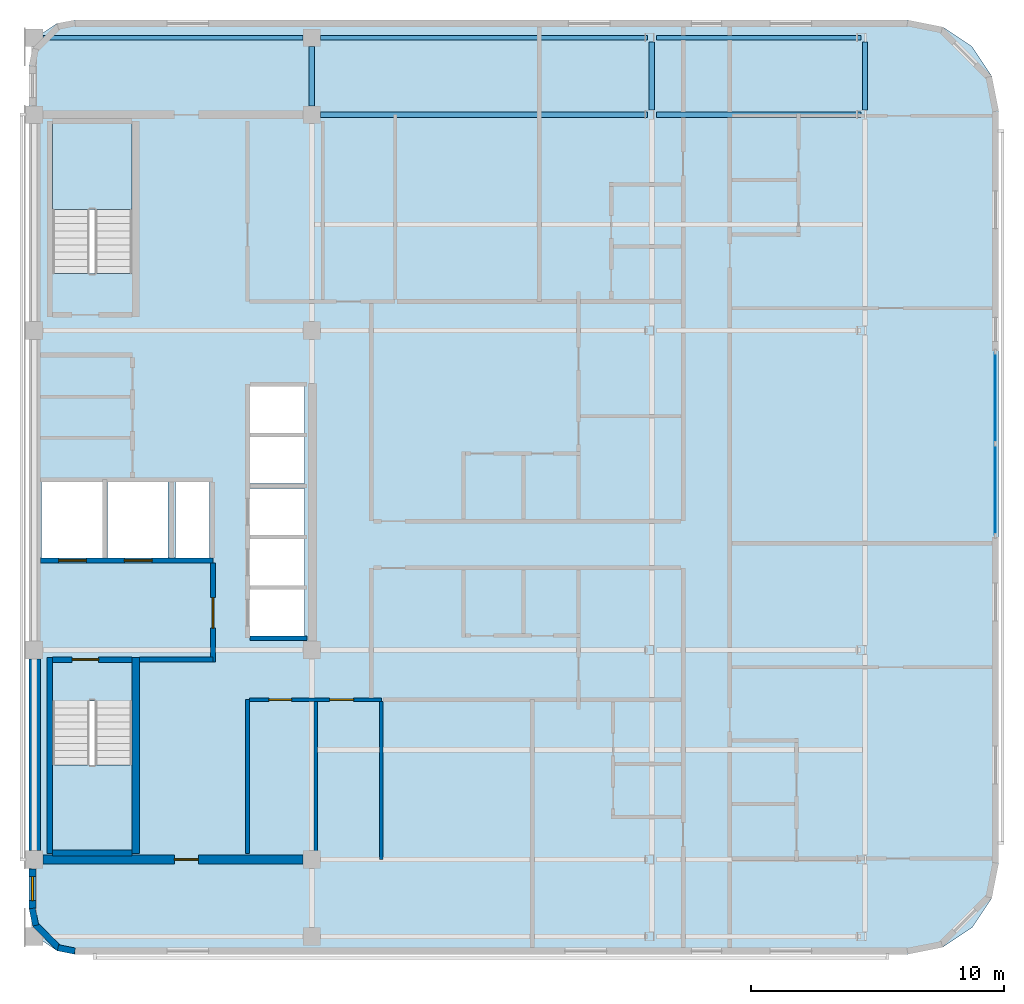
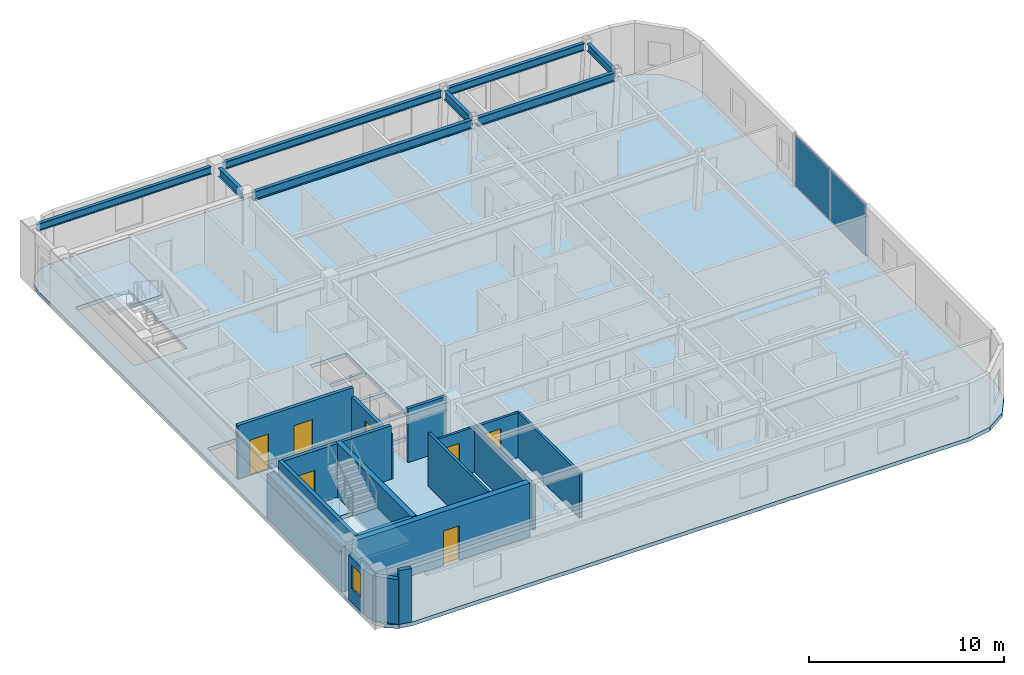
# One storey, part 3 of 10: 18 walls, 8 beams, 7 doors, 3 slabs, 2 plates, 1 window, 8 openings, 3 elements without a shape of their own.
"""IFC4 building model written with IfcOpenShell, lengths in metres."""

from ifc_helpers import new_model, si_unit, direction, frame, frame_2d, origin, origin_2d, place, context, subcontext, project, spatial, polyline, rectangle, i_section, outline, extrude, material, layer, layer_set, material_profile, profile_set, type_object, element, fill, aggregate, save


model = new_model("IFC4")

# Units and contexts
model_context = context("Model", 3, precision=1e-05, world=origin(), true_north=direction((0.0, 1.0)))
body_context = subcontext(model_context, "Body", "Model", "MODEL_VIEW")
ifc_project = project(units=[si_unit("LENGTHUNIT", "METRE"), si_unit("AREAUNIT", "SQUARE_METRE"), si_unit("VOLUMEUNIT", "CUBIC_METRE"), si_unit("PLANEANGLEUNIT", "RADIAN"), si_unit("MASSUNIT", "GRAM", prefix="KILO")], contexts=[model_context])

# Site, building, storey
site_placement = place(None, origin())
site = spatial("IfcSite", under=ifc_project, at=site_placement, CompositionType="ELEMENT")
building_placement = place(site_placement, origin())
building = spatial("IfcBuilding", under=site, at=building_placement, Name="Ochreholt Gables", CompositionType="ELEMENT")
storey_placement = place(building_placement, frame((0.0, 0.0, 246.0)))
storey = spatial("IfcBuildingStorey", under=building, at=storey_placement, Name="L64", CompositionType="ELEMENT", Elevation=246.0)

# Beams
ifc_material_1 = material(Name="Steel CSA G40.21 350W", Category="steel")
ifc_material_profile_1 = material_profile(ifc_material_1, i_section(OverallWidth=0.2109375, OverallDepth=0.5390625, WebThickness=0.01171875, FlangeThickness=0.018798828125, at=origin_2d()), Name="W530X109")
ifc_profile_set_1 = profile_set([ifc_material_profile_1], Name="Steel CSA G40.21 350W")
beam_type_1 = type_object("IfcBeamType", Name="BM-G-W530A", PredefinedType="BEAM", material=ifc_profile_set_1)
beam_1_placement = place(storey_placement, frame((35.549560546875, 38.75, 3.090576171875), z_axis=(1.0, 0.0, 0.0), x_axis=(0.0, 1.0, 0.0)))
element("IfcBeam", 1, at=beam_1_placement, inside=storey, type_object=beam_type_1, Name="L64 Beam TBG-L64-C2EM-Y5", PredefinedType="BEAM", context=body_context, shape_type="SweptSolid", body=[
    extrude(i_section(OverallWidth=0.2109375, OverallDepth=0.5390625, WebThickness=0.01171875, FlangeThickness=0.018798828125, at=origin_2d()), origin(), (0.0, 0.0, 1.0), 12.94482421875),
])
beam_2_placement = place(storey_placement, frame((48.849609375, 38.75, 3.090576171875), z_axis=(1.0, 0.0, 0.0), x_axis=(0.0, 1.0, 0.0)))
element("IfcBeam", 2, at=beam_2_placement, inside=storey, type_object=beam_type_1, Name="L64 Beam TBG-L64-EMEE-Y5", PredefinedType="BEAM", context=body_context, shape_type="SweptSolid", body=[
    extrude(i_section(OverallWidth=0.2109375, OverallDepth=0.5390625, WebThickness=0.01171875, FlangeThickness=0.018798828125, at=origin_2d()), origin(), (0.0, 0.0, 1.0), 8.1064453125),
])
beam_3_placement = place(storey_placement, frame((35.199951171875, 39.099609375, 3.090576171875), z_axis=(0.0, 1.0, 0.0), x_axis=(-1.0, 0.0, 0.0)))
element("IfcBeam", 3, at=beam_3_placement, inside=storey, type_object=beam_type_1, Name="L64 Beam TBN-L64-C2-Y5Y6", PredefinedType="BEAM", context=body_context, shape_type="SweptSolid", body=[
    extrude(i_section(OverallWidth=0.2109375, OverallDepth=0.5390625, WebThickness=0.01171875, FlangeThickness=0.018798828125, at=origin_2d()), origin(), (0.0, 0.0, 1.0), 2.350830078125),
])
beam_4_placement = place(storey_placement, frame((48.65478515625, 38.927490234375, 3.090576171875), z_axis=(0.0, 1.0, 0.0), x_axis=(-1.0, 0.0, 0.0)))
element("IfcBeam", 4, at=beam_4_placement, inside=storey, type_object=beam_type_1, Name="L64 Beam TBN-L64-EM-Y5Y6", PredefinedType="BEAM", context=body_context, shape_type="SweptSolid", body=[
    extrude(i_section(OverallWidth=0.2109375, OverallDepth=0.5390625, WebThickness=0.01171875, FlangeThickness=0.018798828125, at=origin_2d()), origin(), (0.0, 0.0, 1.0), 2.69482421875),
])
ifc_material_profile_2 = material_profile(ifc_material_1, i_section(OverallWidth=0.19189453125, OverallDepth=0.462890625, WebThickness=0.010498046875, FlangeThickness=0.017578125, at=origin_2d()), Name="W460X89")
ifc_profile_set_2 = profile_set([ifc_material_profile_2], Name="Steel CSA G40.21 350W")
beam_type_2 = type_object("IfcBeamType", Name="BM-SP-W460A", PredefinedType="SPANDREL", material=ifc_profile_set_2)
beam_5_placement = place(storey_placement, frame((24.549560546875, 41.800048828125, 3.12841796875), z_axis=(1.0, 0.0, 0.0), x_axis=(0.0, 1.0, 0.0)))
element("IfcBeam", 5, at=beam_5_placement, inside=storey, type_object=beam_type_2, Name="L64 Beam TBG-L64-C1C2-Y6", PredefinedType="SPANDREL", context=body_context, shape_type="SweptSolid", body=[
    extrude(i_section(OverallWidth=0.19189453125, OverallDepth=0.462890625, WebThickness=0.010498046875, FlangeThickness=0.017578125, at=origin_2d()), origin(), (0.0, 0.0, 1.0), 10.30078125),
])
beam_6_placement = place(storey_placement, frame((35.549560546875, 41.800048828125, 3.12841796875), z_axis=(1.0, 0.0, 0.0), x_axis=(0.0, 1.0, 0.0)))
element("IfcBeam", 6, at=beam_6_placement, inside=storey, type_object=beam_type_2, Name="L64 Beam TBG-L64-C2EM-Y6", PredefinedType="SPANDREL", context=body_context, shape_type="SweptSolid", body=[
    extrude(i_section(OverallWidth=0.19189453125, OverallDepth=0.462890625, WebThickness=0.010498046875, FlangeThickness=0.017578125, at=origin_2d()), origin(), (0.0, 0.0, 1.0), 12.94482421875),
])
beam_7_placement = place(storey_placement, frame((48.849609375, 41.800048828125, 3.12841796875), z_axis=(1.0, 0.0, 0.0), x_axis=(0.0, 1.0, 0.0)))
element("IfcBeam", 7, at=beam_7_placement, inside=storey, type_object=beam_type_2, Name="L64 Beam TBG-L64-EMEE-Y6", PredefinedType="SPANDREL", context=body_context, shape_type="SweptSolid", body=[
    extrude(i_section(OverallWidth=0.19189453125, OverallDepth=0.462890625, WebThickness=0.010498046875, FlangeThickness=0.017578125, at=origin_2d()), origin(), (0.0, 0.0, 1.0), 8.1064453125),
])
beam_8_placement = place(storey_placement, frame((57.105224609375, 38.927490234375, 3.12841796875), z_axis=(0.0, 1.0, 0.0), x_axis=(-1.0, 0.0, 0.0)))
element("IfcBeam", 8, at=beam_8_placement, inside=storey, type_object=beam_type_2, Name="L64 Beam TBN-L64-EE-Y5Y6", PredefinedType="SPANDREL", context=body_context, shape_type="SweptSolid", body=[
    extrude(i_section(OverallWidth=0.19189453125, OverallDepth=0.462890625, WebThickness=0.010498046875, FlangeThickness=0.017578125, at=origin_2d()), origin(), (0.0, 0.0, 1.0), 2.69482421875),
])

# Curtain wall, plates
ifc_material_2 = material(Name="Unitised Aluminium and Triple Glazing", Category="aluminium")
ifc_layer_1 = layer(ifc_material_2, 0.2099609375, Name="Unitised Aluminium and Triple Glazing")
ifc_layer_set_1 = layer_set([ifc_layer_1], Name="Unitised Aluminium and Triple Glazing")
curtain_wall_type = type_object("IfcCurtainWallType", Name="CW-SYS5", PredefinedType="NOTDEFINED", material=ifc_layer_set_1)
curtain_wall_placement = place(storey_placement, origin())
curtain_wall = element("IfcCurtainWall", 9, at=curtain_wall_placement, inside=storey, type_object=curtain_wall_type, Name="L64 East Unitised Curtain Wall", PredefinedType="NOTDEFINED")
ifc_material_3 = material(Name="Triple Low-E Insulating Glass", Category="glass")
ifc_layer_2 = layer(ifc_material_3, 0.0380859375, Name="Triple Low-E Insulating Glass")
ifc_layer_set_2 = layer_set([ifc_layer_2], Name="Triple Low-E Insulating Glass")
plate_type = type_object("IfcPlateType", Name="CW-PNL-38", PredefinedType="CURTAIN_PANEL", material=ifc_layer_set_2)
plate_1_placement = place(storey_placement, frame((62.264892578125, 23.891357421875, 0.074951171875), z_axis=(0.0, 0.0, 1.0), x_axis=(0.0, 1.0, 0.0)))
plate_1 = element("IfcPlate", 10, at=plate_1_placement, type_object=plate_type, Name="CW-5 panel 1.1", PredefinedType="CURTAIN_PANEL", context=body_context, shape_type="SweptSolid", body=[
    extrude(rectangle(XDim=3.572509765625, YDim=0.0380859375, at=origin_2d()), origin(), (0.0, 0.0, 1.0), 3.2099609375),
])
plate_2_placement = place(storey_placement, frame((62.264892578125, 27.538818359375, 0.074951171875), z_axis=(0.0, 0.0, 1.0), x_axis=(0.0, 1.0, 0.0)))
plate_2 = element("IfcPlate", 11, at=plate_2_placement, type_object=plate_type, Name="CW-5 panel 2.1", PredefinedType="CURTAIN_PANEL", context=body_context, shape_type="SweptSolid", body=[
    extrude(rectangle(XDim=3.572509765625, YDim=0.0380859375, at=origin_2d()), origin(), (0.0, 0.0, 1.0), 3.2099609375),
])
aggregate(curtain_wall, [plate_1, plate_2])

# Stair, slab
ifc_material_4 = material(Name="Concrete 40 MPa", Category="concrete")
stair_type_1 = type_object("IfcStairType", Name="STAIR-CORE-ST-1", PredefinedType="HALF_TURN_STAIR", material=ifc_material_4)
stair_1_placement = place(storey_placement, origin())
stair_1 = element("IfcStair", 12, at=stair_1_placement, inside=storey, type_object=stair_type_1, Name="L64 Core Exit Stair 1", PredefinedType="HALF_TURN_STAIR")
ifc_layer_3 = layer(ifc_material_4, 0.199951171875, Name="Concrete 40 MPa")
ifc_layer_set_3 = layer_set([ifc_layer_3], Name="Concrete 40 MPa")
slab_type_1 = type_object("IfcSlabType", Name="LANDING-RC200", PredefinedType="LANDING", material=ifc_layer_set_3)
slab_1_placement = place(storey_placement, frame((0.0, 0.0, 1.60009765625)))
slab_1 = element("IfcSlab", 13, at=slab_1_placement, type_object=slab_type_1, Name="ST-1 landing 1", PredefinedType="LANDING", context=body_context, shape_type="SweptSolid", body=[
    extrude(outline(polyline([(24.919921875, 13.001953125), (24.919921875, 9.52001953125), (28.080078125, 9.52001953125), (28.080078125, 13.001953125), (24.919921875, 13.001953125)])), origin(), (0.0, 0.0, 1.0), 0.199951171875),
])
aggregate(stair_1, [slab_1])

stair_type_2 = type_object("IfcStairType", Name="STAIR-CORE-ST-2", PredefinedType="HALF_TURN_STAIR", material=ifc_material_4)
stair_2_placement = place(storey_placement, origin())
stair_2 = element("IfcStair", 14, at=stair_2_placement, inside=storey, type_object=stair_type_2, Name="L64 Core Exit Stair 2", PredefinedType="HALF_TURN_STAIR")
slab_2_placement = place(storey_placement, frame((0.0, 0.0, 1.60009765625)))
slab_2 = element("IfcSlab", 15, at=slab_2_placement, type_object=slab_type_1, Name="ST-2 landing 1", PredefinedType="LANDING", context=body_context, shape_type="SweptSolid", body=[
    extrude(outline(polyline([(28.080078125, 34.998046875), (28.080078125, 38.47998046875), (24.919921875, 38.47998046875), (24.919921875, 34.998046875), (28.080078125, 34.998046875)])), origin(), (0.0, 0.0, 1.0), 0.199951171875),
])
aggregate(stair_2, [slab_2])

# Slab
ifc_layer_4 = layer(ifc_material_4, 0.239990234375, Name="Concrete 40 MPa")
ifc_layer_set_4 = layer_set([ifc_layer_4], Name="Concrete 40 MPa")
slab_type_2 = type_object("IfcSlabType", Name="SLAB-TWR-240", PredefinedType="FLOOR", material=ifc_layer_set_4)
slab_3_placement = place(storey_placement, frame((0.0, 0.0, -0.239990234375)))
element("IfcSlab", 16, at=slab_3_placement, inside=storey, type_object=slab_type_2, Name="L64 Structural Floor Slab", PredefinedType="FLOOR", context=body_context, shape_type="SweptSolid", body=[
    extrude(outline(polyline([(24.0, 7.300048828125), (24.136962890625, 6.611083984375), (24.527099609375, 6.027099609375), (25.111083984375, 5.636962890625), (25.800048828125, 5.5), (58.800048828125, 5.5), (60.177734375, 5.77392578125), (61.345703125, 6.554443359375), (62.1259765625, 7.722412109375), (62.39990234375, 9.10009765625), (62.39990234375, 38.89990234375), (62.1259765625, 40.277587890625), (61.345703125, 41.445556640625), (60.177734375, 42.22607421875), (58.800048828125, 42.5), (25.800048828125, 42.5), (25.111083984375, 42.363037109375), (24.527099609375, 41.972900390625), (24.136962890625, 41.388916015625), (24.0, 40.699951171875), (24.0, 7.300048828125)]), holes=[polyline([(24.919921875, 15.539306640625), (24.919921875, 9.52001953125), (28.080078125, 9.52001953125), (28.080078125, 15.539306640625), (24.919921875, 15.539306640625)]), polyline([(28.080078125, 32.460693359375), (28.080078125, 38.47998046875), (24.919921875, 38.47998046875), (24.919921875, 32.460693359375), (28.080078125, 32.460693359375)]), polyline([(24.5, 21.199951171875), (26.89990234375, 21.199951171875), (26.89990234375, 24.199951171875), (24.5, 24.199951171875), (24.5, 21.199951171875)]), polyline([(27.10009765625, 21.199951171875), (29.5, 21.199951171875), (29.5, 24.199951171875), (27.10009765625, 24.199951171875), (27.10009765625, 21.199951171875)]), polyline([(32.75, 18.10009765625), (34.89990234375, 18.10009765625), (34.89990234375, 19.949951171875), (32.75, 19.949951171875), (32.75, 18.10009765625)]), polyline([(32.75, 20.10009765625), (34.89990234375, 20.10009765625), (34.89990234375, 21.949951171875), (32.75, 21.949951171875), (32.75, 20.10009765625)]), polyline([(32.75, 22.10009765625), (34.89990234375, 22.10009765625), (34.89990234375, 23.949951171875), (32.75, 23.949951171875), (32.75, 22.10009765625)]), polyline([(32.75, 24.14990234375), (34.89990234375, 24.14990234375), (34.89990234375, 26.0), (32.75, 26.0), (32.75, 24.14990234375)]), polyline([(32.75, 26.14990234375), (34.89990234375, 26.14990234375), (34.89990234375, 28.0), (32.75, 28.0), (32.75, 26.14990234375)]), polyline([(29.800048828125, 21.199951171875), (31.14990234375, 21.199951171875), (31.14990234375, 24.199951171875), (29.800048828125, 24.199951171875), (29.800048828125, 21.199951171875)])]), origin(), (0.0, 0.0, 1.0), 0.239990234375),
])

# Wall, opening, door
ifc_material_5 = material(Name="Concrete 50 MPa", Category="concrete")
ifc_layer_5 = layer(ifc_material_5, 0.35009765625, Name="Concrete 50 MPa")
ifc_layer_set_5 = layer_set([ifc_layer_5], Name="Concrete 50 MPa")
wall_type_1 = type_object("IfcWallType", Name="WALL-CSW-350", PredefinedType="SHEAR", material=ifc_layer_set_5)
wall_1_placement = place(storey_placement, frame((24.550048828125, 9.25, 0.0), z_axis=(0.0, 0.0, 1.0), x_axis=(1.0, 0.0, 0.0)))
wall_1 = element("IfcWall", 17, at=wall_1_placement, inside=storey, type_object=wall_type_1, Name="L64 Core South Shear Wall", PredefinedType="SHEAR", context=body_context, shape_type="SweptSolid", body=[
    extrude(rectangle(XDim=10.300048828125, YDim=0.35009765625, at=frame_2d((5.14990234375, 0.0))), origin(), (0.0, 0.0, 1.0), 3.360107421875),
])
opening_1_placement = place(wall_1_placement, frame((5.199951171875, 0.0, 0.0)))
opening_1 = element("IfcOpeningElement", 18, at=opening_1_placement, cuts=wall_1, Name="Opening D-FL2", PredefinedType="OPENING", context=body_context, shape_type="SweptSolid", body=[
    extrude(rectangle(XDim=0.949951171875, YDim=2.14990234375, at=frame_2d((0.47509765625, 1.074951171875))), frame((0.0, 0.18505859375, 0.0), z_axis=(0.0, -1.0, 0.0), x_axis=(1.0, 0.0, 0.0)), (0.0, 0.0, 1.0), 0.3701171875),
])
ifc_material_6 = material(Name="Hollow Metal Steel", Category="steel")
door_type_1 = type_object("IfcDoorType", Name="DR-INT-FLB950", OperationType="NOTDEFINED", PredefinedType="DOOR", material=ifc_material_6)
door_1_placement = place(opening_1_placement, frame((0.949951171875, 0.0, 0.0), z_axis=(0.0, 0.0, 1.0), x_axis=(-1.0, 0.0, 0.0)))
door_1 = element("IfcDoor", 19, at=door_1_placement, inside=storey, type_object=door_type_1, Name="L64 Door D-C3SSL-L64", OperationType="SINGLE_SWING_LEFT", OverallHeight=2.14990234375, OverallWidth=0.949951171875, PredefinedType="DOOR", context=body_context, shape_type="SweptSolid", body=[
    extrude(rectangle(XDim=0.949951171875, YDim=2.14990234375, at=frame_2d((0.47509765625, 1.074951171875))), frame((0.0, 0.02490234375, 0.0), z_axis=(0.0, -1.0, 0.0), x_axis=(1.0, 0.0, 0.0)), (0.0, 0.0, 1.0), 0.050048828125),
])
fill(opening_1, door_1)

# Wall
ifc_layer_6 = layer(ifc_material_5, 0.449951171875, Name="Concrete 50 MPa")
ifc_layer_set_6 = layer_set([ifc_layer_6], Name="Concrete 50 MPa")
wall_type_2 = type_object("IfcWallType", Name="WALL-CSW-EXT", PredefinedType="SHEAR", material=ifc_layer_set_6)
wall_2_placement = place(storey_placement, frame((24.22509765625, 9.60009765625, 0.0), z_axis=(0.0, 0.0, 1.0), x_axis=(0.0, 1.0, 0.0)))
element("IfcWall", 20, at=wall_2_placement, inside=storey, type_object=wall_type_2, Name="L64 Core West Shear Wall WS", PredefinedType="SHEAR", context=body_context, shape_type="SweptSolid", body=[
    extrude(rectangle(XDim=7.599853515625, YDim=0.449951171875, at=frame_2d((3.7998046875, 0.0))), origin(), (0.0, 0.0, 1.0), 2.821044921875),
])

# Wall, opening, window
ifc_material_7 = material(Name="Precast concrete 40 MPa", Category="concrete")
ifc_layer_7 = layer(ifc_material_7, 0.27001953125, Name="Precast concrete 40 MPa")
ifc_layer_set_7 = layer_set([ifc_layer_7], Name="Precast concrete 40 MPa")
wall_type_3 = type_object("IfcWallType", Name="WALL-EXT-270", PredefinedType="SOLIDWALL", material=ifc_layer_set_7)
wall_3_placement = place(storey_placement, frame((24.135009765625, 7.320068359375, 0.0), z_axis=(0.0, 0.0, 1.0), x_axis=(0.0, 1.0, 0.0)))
wall_3 = element("IfcWall", 21, at=wall_3_placement, inside=storey, type_object=wall_type_3, Name="L64 West Facade South Bay Wall", PredefinedType="SOLIDWALL", context=body_context, shape_type="SweptSolid", body=[
    extrude(rectangle(XDim=1.559814453125, YDim=0.27001953125, at=frame_2d((0.77978515625, 0.0))), origin(), (0.0, 0.0, 1.0), 2.802978515625),
])
opening_2_placement = place(wall_3_placement, frame((0.304931640625, 0.0, 0.85009765625)))
opening_2 = element("IfcOpeningElement", 22, at=opening_2_placement, cuts=wall_3, Name="Opening WN-10", PredefinedType="OPENING", context=body_context, shape_type="SweptSolid", body=[
    extrude(rectangle(XDim=0.949951171875, YDim=1.5, at=frame_2d((0.47509765625, 0.75))), frame((0.0, 0.14501953125, 0.0), z_axis=(0.0, -1.0, 0.0), x_axis=(1.0, 0.0, 0.0)), (0.0, 0.0, 1.0), 0.2900390625),
])
ifc_material_8 = material(Name="Triple-Glazed Thermally Broken Aluminium Window", Category="aluminium")
window_type = type_object("IfcWindowType", Name="WIN-RES-950", PartitioningType="SINGLE_PANEL", PredefinedType="WINDOW", material=ifc_material_8)
window_placement = place(opening_2_placement, origin())
window = element("IfcWindow", 23, at=window_placement, inside=storey, type_object=window_type, Name="L64 South Sky Lounge West Window", OverallHeight=1.5, OverallWidth=0.949951171875, PartitioningType="SINGLE_PANEL", PredefinedType="WINDOW", context=body_context, shape_type="SweptSolid", body=[
    extrude(rectangle(XDim=0.949951171875, YDim=1.5, at=frame_2d((0.47509765625, 0.75))), frame((0.0, 0.030029296875, 0.0), z_axis=(0.0, -1.0, 0.0), x_axis=(1.0, 0.0, 0.0)), (0.0, 0.0, 1.0), 0.06005859375),
])
fill(opening_2, window)

# Walls
ifc_layer_8 = layer(ifc_material_7, 0.25, Name="Precast concrete 40 MPa")
ifc_layer_set_8 = layer_set([ifc_layer_8], Name="Precast concrete 40 MPa")
wall_type_4 = type_object("IfcWallType", Name="WALL-EXT-CNR", PredefinedType="SOLIDWALL", material=ifc_layer_set_8)
wall_4_placement = place(storey_placement, frame((24.124267578125, 7.31640625, 0.0), z_axis=(0.0, 0.0, 1.0), x_axis=(0.194952956674, -0.980812594069, 0.0)))
element("IfcWall", 24, at=wall_4_placement, inside=storey, type_object=wall_type_4, Name="L64 Rounded Corner Wall SW-1", PredefinedType="SOLIDWALL", context=body_context, shape_type="SweptSolid", body=[
    extrude(rectangle(XDim=0.686279296875, YDim=0.25, at=frame_2d((0.34326171875, 0.0))), origin(), (0.0, 0.0, 1.0), 2.802978515625),
])
wall_5_placement = place(storey_placement, frame((24.23095703125, 6.69384765625, 0.0), z_axis=(0.0, 0.0, 1.0), x_axis=(0.707106781187, -0.707106781187, 0.0)))
element("IfcWall", 25, at=wall_5_placement, inside=storey, type_object=wall_type_4, Name="L64 Rounded Corner Wall SW-2", PredefinedType="SOLIDWALL", context=body_context, shape_type="SweptSolid", body=[
    extrude(rectangle(XDim=1.36181640625, YDim=0.25, at=frame_2d((0.680908203125, 0.0))), origin(), (0.0, 0.0, 1.0), 2.802978515625),
])
wall_6_placement = place(storey_placement, frame((25.143310546875, 5.758056640625, 0.0), z_axis=(0.0, 0.0, 1.0), x_axis=(0.980812594069, -0.194952956674, 0.0)))
element("IfcWall", 26, at=wall_6_placement, inside=storey, type_object=wall_type_4, Name="L64 Rounded Corner Wall SW-3", PredefinedType="SOLIDWALL", context=body_context, shape_type="SweptSolid", body=[
    extrude(rectangle(XDim=0.686279296875, YDim=0.25, at=frame_2d((0.34326171875, 0.0))), origin(), (0.0, 0.0, 1.0), 3.360107421875),
])

# Wall, openings, doors
ifc_layer_9 = layer(ifc_material_4, 0.199951171875, Name="Concrete 40 MPa")
ifc_layer_set_9 = layer_set([ifc_layer_9], Name="Concrete 40 MPa")
wall_type_5 = type_object("IfcWallType", Name="WALL-INT-CF200", PredefinedType="STANDARD", material=ifc_layer_set_9)
wall_7_placement = place(storey_placement, frame((24.449951171875, 21.090087890625, 0.0), z_axis=(0.0, 0.0, 1.0), x_axis=(1.0, 0.0, 0.0)))
wall_7 = element("IfcWall", 27, at=wall_7_placement, inside=storey, type_object=wall_type_5, Name="L64 Interior Wall WI-FFN-L64", PredefinedType="STANDARD", context=body_context, shape_type="SweptSolid", body=[
    extrude(rectangle(XDim=6.830078125, YDim=0.199951171875, at=frame_2d((3.4150390625, 0.0))), origin(), (0.0, 0.0, 1.0), 3.360107421875),
])
opening_3_placement = place(wall_7_placement, frame((0.719970703125, 0.0, 0.0)))
opening_3 = element("IfcOpeningElement", 28, at=opening_3_placement, cuts=wall_7, Name="Opening LD-FF", PredefinedType="OPENING", context=body_context, shape_type="SweptSolid", body=[
    extrude(rectangle(XDim=1.10009765625, YDim=2.199951171875, at=frame_2d((0.550048828125, 1.10009765625))), frame((0.0, 0.10986328125, 0.0), z_axis=(0.0, -1.0, 0.0), x_axis=(1.0, 0.0, 0.0)), (0.0, 0.0, 1.0), 0.219970703125),
])
opening_4_placement = place(wall_7_placement, frame((3.320068359375, 0.0, 0.0)))
opening_4 = element("IfcOpeningElement", 29, at=opening_4_placement, cuts=wall_7, Name="Opening LD-FF", PredefinedType="OPENING", context=body_context, shape_type="SweptSolid", body=[
    extrude(rectangle(XDim=1.10009765625, YDim=2.199951171875, at=frame_2d((0.550048828125, 1.10009765625))), frame((0.0, 0.10986328125, 0.0), z_axis=(0.0, -1.0, 0.0), x_axis=(1.0, 0.0, 0.0)), (0.0, 0.0, 1.0), 0.219970703125),
])
ifc_material_9 = material(Name="Stainless Steel", Category="steel")
door_type_2 = type_object("IfcDoorType", Name="DR-LFT-FF1100", OperationType="NOTDEFINED", PredefinedType="DOOR", material=ifc_material_9)
door_2_placement = place(opening_3_placement, origin())
door_2 = element("IfcDoor", 30, at=door_2_placement, inside=storey, type_object=door_type_2, Name="L64 Door LD-FF1-L64", OperationType="SLIDING_TO_LEFT", OverallHeight=2.199951171875, OverallWidth=1.10009765625, PredefinedType="DOOR", context=body_context, shape_type="SweptSolid", body=[
    extrude(rectangle(XDim=1.10009765625, YDim=2.199951171875, at=frame_2d((0.550048828125, 1.10009765625))), frame((0.0, 0.02490234375, 0.0), z_axis=(0.0, -1.0, 0.0), x_axis=(1.0, 0.0, 0.0)), (0.0, 0.0, 1.0), 0.050048828125),
])
fill(opening_3, door_2)
door_3_placement = place(opening_4_placement, origin())
door_3 = element("IfcDoor", 31, at=door_3_placement, inside=storey, type_object=door_type_2, Name="L64 Door LD-FF2-L64", OperationType="SLIDING_TO_LEFT", OverallHeight=2.199951171875, OverallWidth=1.10009765625, PredefinedType="DOOR", context=body_context, shape_type="SweptSolid", body=[
    extrude(rectangle(XDim=1.10009765625, YDim=2.199951171875, at=frame_2d((0.550048828125, 1.10009765625))), frame((0.0, 0.02490234375, 0.0), z_axis=(0.0, -1.0, 0.0), x_axis=(1.0, 0.0, 0.0)), (0.0, 0.0, 1.0), 0.050048828125),
])
fill(opening_4, door_3)

# Wall
wall_8_placement = place(storey_placement, frame((28.3798828125, 17.169921875, 0.0), z_axis=(0.0, 0.0, 1.0), x_axis=(1.0, 0.0, 0.0)))
element("IfcWall", 32, at=wall_8_placement, inside=storey, type_object=wall_type_5, Name="L64 Interior Wall WI-FFS-L64", PredefinedType="STANDARD", context=body_context, shape_type="SweptSolid", body=[
    extrude(rectangle(XDim=2.900146484375, YDim=0.199951171875, at=frame_2d((1.4501953125, 0.0))), origin(), (0.0, 0.0, 1.0), 3.360107421875),
])

# Wall, opening, door
wall_9_placement = place(storey_placement, frame((31.280029296875, 17.070068359375, 0.0), z_axis=(0.0, 0.0, 1.0), x_axis=(0.0, 1.0, 0.0)))
wall_9 = element("IfcWall", 33, at=wall_9_placement, inside=storey, type_object=wall_type_5, Name="L64 Interior Wall WI-FFE-L64", PredefinedType="STANDARD", context=body_context, shape_type="SweptSolid", body=[
    extrude(rectangle(XDim=3.919921875, YDim=0.199951171875, at=frame_2d((1.9599609375, 0.0))), origin(), (0.0, 0.0, 1.0), 2.802978515625),
])
opening_5_placement = place(wall_9_placement, frame((1.35009765625, 0.0, 0.0)))
opening_5 = element("IfcOpeningElement", 34, at=opening_5_placement, cuts=wall_9, Name="Opening D-FFL", PredefinedType="OPENING", context=body_context, shape_type="SweptSolid", body=[
    extrude(rectangle(XDim=1.199951171875, YDim=2.14990234375, at=frame_2d((0.60009765625, 1.074951171875))), frame((0.0, 0.10986328125, 0.0), z_axis=(0.0, -1.0, 0.0), x_axis=(1.0, 0.0, 0.0)), (0.0, 0.0, 1.0), 0.219970703125),
])
door_type_3 = type_object("IfcDoorType", Name="DR-INT-FFL1200", OperationType="NOTDEFINED", PredefinedType="DOOR", material=ifc_material_6)
door_4_placement = place(opening_5_placement, origin())
door_4 = element("IfcDoor", 35, at=door_4_placement, inside=storey, type_object=door_type_3, Name="L64 Door D-FFL-L64", OperationType="SINGLE_SWING_LEFT", OverallHeight=2.14990234375, OverallWidth=1.199951171875, PredefinedType="DOOR", context=body_context, shape_type="SweptSolid", body=[
    extrude(rectangle(XDim=1.199951171875, YDim=2.14990234375, at=frame_2d((0.60009765625, 1.074951171875))), frame((0.0, 0.02490234375, 0.0), z_axis=(0.0, -1.0, 0.0), x_axis=(1.0, 0.0, 0.0)), (0.0, 0.0, 1.0), 0.050048828125),
])
fill(opening_5, door_4)

# Wall
ifc_material_10 = material(Name="Lightweight Stud Partition", Category="gypsum")
ifc_layer_10 = layer(ifc_material_10, 0.14501953125, Name="Lightweight Stud Partition")
ifc_layer_set_10 = layer_set([ifc_layer_10], Name="Lightweight Stud Partition")
wall_type_6 = type_object("IfcWallType", Name="WALL-INT-PT145", PredefinedType="PARTITIONING", material=ifc_layer_set_10)
wall_10_placement = place(storey_placement, frame((32.64990234375, 9.5, 0.0), z_axis=(0.0, 0.0, 1.0), x_axis=(0.0, 1.0, 0.0)))
element("IfcWall", 36, at=wall_10_placement, inside=storey, type_object=wall_type_6, Name="L64 Interior Wall WI-RCL-W-L64", PredefinedType="PARTITIONING", context=body_context, shape_type="SweptSolid", body=[
    extrude(rectangle(XDim=6.080078125, YDim=0.14501953125, at=frame_2d((3.0400390625, 0.0))), origin(), (0.0, 0.0, 1.0), 3.360107421875),
])

# Wall, openings, doors
wall_11_placement = place(storey_placement, frame((32.722412109375, 15.580078125, 0.0), z_axis=(0.0, 0.0, 1.0), x_axis=(1.0, 0.0, 0.0)))
wall_11 = element("IfcWall", 37, at=wall_11_placement, inside=storey, type_object=wall_type_6, Name="L64 Interior Wall WI-RCL-N-L64", PredefinedType="PARTITIONING", context=body_context, shape_type="SweptSolid", body=[
    extrude(rectangle(XDim=5.2275390625, YDim=0.14501953125, at=frame_2d((2.61376953125, 0.0))), origin(), (0.0, 0.0, 1.0), 2.802978515625),
])
opening_6_placement = place(wall_11_placement, frame((0.777587890625, 0.0, 0.0)))
opening_6 = element("IfcOpeningElement", 38, at=opening_6_placement, cuts=wall_11, Name="Opening D-SV1", PredefinedType="OPENING", context=body_context, shape_type="SweptSolid", body=[
    extrude(rectangle(XDim=0.89990234375, YDim=2.10009765625, at=frame_2d((0.449951171875, 1.050048828125))), frame((0.0, 0.08251953125, 0.0), z_axis=(0.0, -1.0, 0.0), x_axis=(1.0, 0.0, 0.0)), (0.0, 0.0, 1.0), 0.1650390625),
])
opening_7_placement = place(wall_11_placement, frame((3.177490234375, 0.0, 0.0)))
opening_7 = element("IfcOpeningElement", 39, at=opening_7_placement, cuts=wall_11, Name="Opening D-GN1", PredefinedType="OPENING", context=body_context, shape_type="SweptSolid", body=[
    extrude(rectangle(XDim=0.949951171875, YDim=2.14990234375, at=frame_2d((0.47509765625, 1.074951171875))), frame((0.0, 0.08251953125, 0.0), z_axis=(0.0, -1.0, 0.0), x_axis=(1.0, 0.0, 0.0)), (0.0, 0.0, 1.0), 0.1650390625),
])
ifc_material_11 = material(Name="Engineered Oak Timber", Category="wood")
door_type_4 = type_object("IfcDoorType", Name="DR-INT-GEN950", OperationType="NOTDEFINED", PredefinedType="DOOR", material=ifc_material_11)
door_5_placement = place(opening_7_placement, origin())
door_5 = element("IfcDoor", 40, at=door_5_placement, inside=storey, type_object=door_type_4, Name="L64 Door D-RCL2-L64", OperationType="SINGLE_SWING_RIGHT", OverallHeight=2.14990234375, OverallWidth=0.949951171875, PredefinedType="DOOR", context=body_context, shape_type="SweptSolid", body=[
    extrude(rectangle(XDim=0.949951171875, YDim=2.14990234375, at=frame_2d((0.47509765625, 1.074951171875))), frame((0.0, 0.02490234375, 0.0), z_axis=(0.0, -1.0, 0.0), x_axis=(1.0, 0.0, 0.0)), (0.0, 0.0, 1.0), 0.050048828125),
])
fill(opening_7, door_5)
door_type_5 = type_object("IfcDoorType", Name="DR-INT-SRV900", OperationType="NOTDEFINED", PredefinedType="DOOR", material=ifc_material_6)
door_6_placement = place(opening_6_placement, origin())
door_6 = element("IfcDoor", 41, at=door_6_placement, inside=storey, type_object=door_type_5, Name="L64 Door D-RCL1-L64", OperationType="SINGLE_SWING_LEFT", OverallHeight=2.10009765625, OverallWidth=0.89990234375, PredefinedType="DOOR", context=body_context, shape_type="SweptSolid", body=[
    extrude(rectangle(XDim=0.89990234375, YDim=2.10009765625, at=frame_2d((0.449951171875, 1.050048828125))), frame((0.0, 0.02490234375, 0.0), z_axis=(0.0, -1.0, 0.0), x_axis=(1.0, 0.0, 0.0)), (0.0, 0.0, 1.0), 0.050048828125),
])
fill(opening_6, door_6)

# Walls
wall_12_placement = place(storey_placement, frame((37.949951171875, 9.25, 0.0), z_axis=(0.0, 0.0, 1.0), x_axis=(0.0, 1.0, 0.0)))
element("IfcWall", 42, at=wall_12_placement, inside=storey, type_object=wall_type_6, Name="L64 Interior Wall WI-RCL-E-L64", PredefinedType="PARTITIONING", context=body_context, shape_type="SweptSolid", body=[
    extrude(rectangle(XDim=6.257568359375, YDim=0.14501953125, at=frame_2d((3.12890625, 0.0))), origin(), (0.0, 0.0, 1.0), 2.802978515625),
])
wall_13_placement = place(storey_placement, frame((35.35009765625, 9.5, 0.0), z_axis=(0.0, 0.0, 1.0), x_axis=(0.0, 1.0, 0.0)))
element("IfcWall", 43, at=wall_13_placement, inside=storey, type_object=wall_type_6, Name="L64 Interior Wall WI-RCL-DV-L64", PredefinedType="PARTITIONING", context=body_context, shape_type="SweptSolid", body=[
    extrude(rectangle(XDim=6.007568359375, YDim=0.14501953125, at=frame_2d((3.00390625, 0.0))), origin(), (0.0, 0.0, 1.0), 2.802978515625),
])
ifc_material_12 = material(Name="Gypsum Shaftliner and Steel Stud", Category="steel")
ifc_layer_11 = layer(ifc_material_12, 0.179931640625, Name="Gypsum Shaftliner and Steel Stud")
ifc_layer_set_11 = layer_set([ifc_layer_11], Name="Gypsum Shaftliner and Steel Stud")
wall_type_7 = type_object("IfcWallType", Name="WALL-INT-SH180", PredefinedType="STANDARD", material=ifc_layer_set_11)
wall_14_placement = place(storey_placement, frame((32.739990234375, 18.02001953125, 0.0), z_axis=(0.0, 0.0, 1.0), x_axis=(1.0, 0.0, 0.0)))
element("IfcWall", 44, at=wall_14_placement, inside=storey, type_object=wall_type_7, Name="L64 Interior Wall WI-LFHE-S-L64", PredefinedType="STANDARD", context=body_context, shape_type="SweptSolid", body=[
    extrude(rectangle(XDim=2.260009765625, YDim=0.179931640625, at=frame_2d((1.1298828125, 0.0))), origin(), (0.0, 0.0, 1.0), 3.360107421875),
])
ifc_material_13 = material(Name="Concrete 60 MPa", Category="concrete")
ifc_layer_12 = layer(ifc_material_13, 0.300048828125, Name="Concrete 60 MPa")
ifc_layer_set_12 = layer_set([ifc_layer_12], Name="Concrete 60 MPa")
wall_type_8 = type_object("IfcWallType", Name="WALL-SPN-300", PredefinedType="SHEAR", material=ifc_layer_set_12)
wall_15_placement = place(storey_placement, frame((28.22998046875, 9.5, 0.0), z_axis=(0.0, 0.0, 1.0), x_axis=(0.0, 1.0, 0.0)))
element("IfcWall", 45, at=wall_15_placement, inside=storey, type_object=wall_type_8, Name="L64 Core South Spine Shear Wall", PredefinedType="SHEAR", context=body_context, shape_type="SweptSolid", body=[
    extrude(rectangle(XDim=7.760009765625, YDim=0.300048828125, at=frame_2d((3.8798828125, 0.0))), origin(), (0.0, 0.0, 1.0), 3.360107421875),
])
ifc_layer_13 = layer(ifc_material_5, 0.219970703125, Name="Concrete 50 MPa")
ifc_layer_set_13 = layer_set([ifc_layer_13], Name="Concrete 50 MPa")
wall_type_9 = type_object("IfcWallType", Name="WALL-STW-220", PredefinedType="SHEAR", material=ifc_layer_set_13)
wall_16_placement = place(storey_placement, frame((24.81005859375, 9.5, 0.0), z_axis=(0.0, 0.0, 1.0), x_axis=(0.0, 1.0, 0.0)))
element("IfcWall", 46, at=wall_16_placement, inside=storey, type_object=wall_type_9, Name="L64 Exit Stair 1 West Wall", PredefinedType="SHEAR", context=body_context, shape_type="SweptSolid", body=[
    extrude(rectangle(XDim=7.760009765625, YDim=0.219970703125, at=frame_2d((3.8798828125, 0.0))), origin(), (0.0, 0.0, 1.0), 3.360107421875),
])
wall_17_placement = place(storey_placement, frame((24.919921875, 9.510009765625, 0.0), z_axis=(0.0, 0.0, 1.0), x_axis=(1.0, 0.0, 0.0)))
element("IfcWall", 47, at=wall_17_placement, inside=storey, type_object=wall_type_9, Name="L64 Exit Stair 1 South Wall", PredefinedType="SHEAR", context=body_context, shape_type="SweptSolid", body=[
    extrude(rectangle(XDim=3.16015625, YDim=0.219970703125, at=frame_2d((1.580078125, 0.0))), origin(), (0.0, 0.0, 1.0), 3.360107421875),
])

# Wall, opening, door
wall_18_placement = place(storey_placement, frame((24.919921875, 17.169921875, 0.0), z_axis=(0.0, 0.0, 1.0), x_axis=(1.0, 0.0, 0.0)))
wall_18 = element("IfcWall", 48, at=wall_18_placement, inside=storey, type_object=wall_type_9, Name="L64 Exit Stair 1 North Wall", PredefinedType="SHEAR", context=body_context, shape_type="SweptSolid", body=[
    extrude(rectangle(XDim=3.16015625, YDim=0.219970703125, at=frame_2d((1.580078125, 0.0))), origin(), (0.0, 0.0, 1.0), 3.360107421875),
])
opening_8_placement = place(wall_18_placement, frame((0.780029296875, 0.0, 0.0)))
opening_8 = element("IfcOpeningElement", 49, at=opening_8_placement, cuts=wall_18, Name="Opening D-STC", PredefinedType="OPENING", context=body_context, shape_type="SweptSolid", body=[
    extrude(rectangle(XDim=1.050048828125, YDim=2.14990234375, at=frame_2d((0.52490234375, 1.074951171875))), frame((0.0, 0.119873046875, 0.0), z_axis=(0.0, -1.0, 0.0), x_axis=(1.0, 0.0, 0.0)), (0.0, 0.0, 1.0), 0.239990234375),
])
door_type_6 = type_object("IfcDoorType", Name="DR-INT-ST1050", OperationType="NOTDEFINED", PredefinedType="DOOR", material=ifc_material_6)
door_7_placement = place(opening_8_placement, frame((1.050048828125, 0.0, 0.0), z_axis=(0.0, 0.0, 1.0), x_axis=(-1.0, 0.0, 0.0)))
door_7 = element("IfcDoor", 50, at=door_7_placement, inside=storey, type_object=door_type_6, Name="L64 Door D-ST1-L64", OperationType="SINGLE_SWING_LEFT", OverallHeight=2.14990234375, OverallWidth=1.050048828125, PredefinedType="DOOR", context=body_context, shape_type="SweptSolid", body=[
    extrude(rectangle(XDim=1.050048828125, YDim=2.14990234375, at=frame_2d((0.52490234375, 1.074951171875))), frame((0.0, 0.02490234375, 0.0), z_axis=(0.0, -1.0, 0.0), x_axis=(1.0, 0.0, 0.0)), (0.0, 0.0, 1.0), 0.050048828125),
])
fill(opening_8, door_7)

save(model, "model.ifc")
